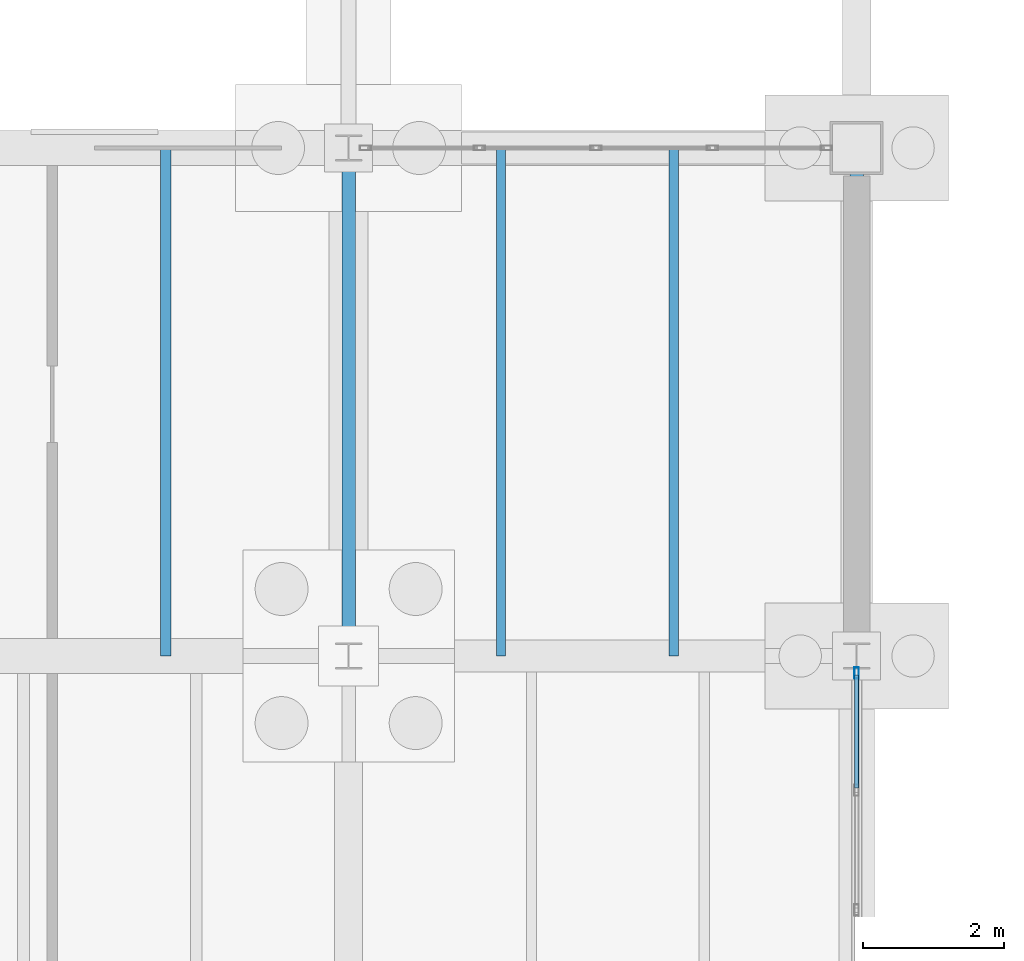
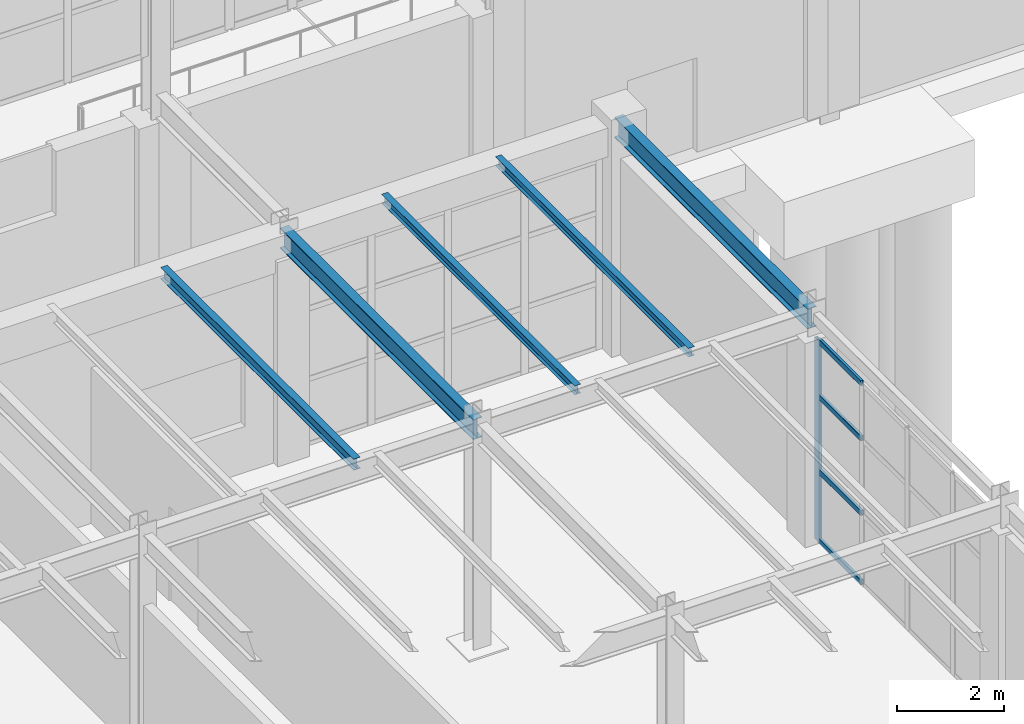
# One storey, part 102 of 293: 5 beams, 5 members, 1 element without a shape of its own.
"""IFC4 building model written with IfcOpenShell, lengths in metres."""

from ifc_helpers import new_model, si_unit, direction, frame, origin, origin_2d, place, context, subcontext, project, spatial, hollow_rectangle, i_section, extrude, material, layer, layer_set, material_profile, profile_set, type_object, element, aggregate, save


model = new_model("IFC4")

# Units and contexts
model_context = context("Model", 3, precision=1e-05, world=origin(), true_north=direction((0.0, 1.0)))
body_context = subcontext(model_context, "Body", "Model", "MODEL_VIEW")
ifc_project = project(units=[si_unit("LENGTHUNIT", "METRE"), si_unit("AREAUNIT", "SQUARE_METRE"), si_unit("VOLUMEUNIT", "CUBIC_METRE"), si_unit("PLANEANGLEUNIT", "RADIAN"), si_unit("MASSUNIT", "GRAM", prefix="KILO")], contexts=[model_context])

# Site, building, storey
site_placement = place(None, origin())
site = spatial("IfcSite", under=ifc_project, at=site_placement, CompositionType="ELEMENT")
building_placement = place(site_placement, origin())
building = spatial("IfcBuilding", under=site, at=building_placement, Name="Kemerveld Promenade Tramway Depot", CompositionType="ELEMENT")
storey_placement = place(building_placement, origin())
storey = spatial("IfcBuildingStorey", under=building, at=storey_placement, Name="L00", CompositionType="ELEMENT", Elevation=0.0)

# Beams
ifc_material_1 = material(Name="Steel S355", Category="steel")
ifc_material_profile_1 = material_profile(ifc_material_1, i_section(OverallWidth=0.19140625, OverallDepth=0.4599609375, WebThickness=0.010009765625, FlangeThickness=0.01611328125, FilletRadius=0.01025390625, at=origin_2d()), Name="457x191x82 UB")
ifc_profile_set_1 = profile_set([ifc_material_profile_1], Name="Steel S355")
beam_type_1 = type_object("IfcBeamType", Name="BM-G06", PredefinedType="BEAM", material=ifc_profile_set_1)
for number, where, z_axis, x_axis, name in (
    (1, (50.39990234375, 72.0, 4.919921875), (0.0, 1.0, 0.0), (-1.0, 0.0, 0.0), "BMY-L00-08-L-M"),
    (2, (57.60009765625, 72.0, 4.919921875), (0.0, 1.0, 0.0), (-1.0, 0.0, 0.0), "BMY-L00-09-L-M"),
):
    element("IfcBeam", number, at=place(storey_placement, frame(where, z_axis=z_axis, x_axis=x_axis)), inside=storey, type_object=beam_type_1, Name=name, PredefinedType="BEAM", context=body_context, shape_type="SweptSolid", body=[
        extrude(i_section(OverallWidth=0.19140625, OverallDepth=0.4599609375, WebThickness=0.010009765625, FlangeThickness=0.01611328125, FilletRadius=0.01025390625, at=origin_2d()), origin(), (0.0, 0.0, 1.0), 7.199951171875),
    ])
ifc_material_profile_2 = material_profile(ifc_material_1, i_section(OverallWidth=0.146484375, OverallDepth=0.256103515625, WebThickness=0.00634765625, FlangeThickness=0.010986328125, FilletRadius=0.007568359375, at=origin_2d()), Name="254x146x37 UB")
ifc_profile_set_2 = profile_set([ifc_material_profile_2], Name="Steel S355")
beam_type_2 = type_object("IfcBeamType", Name="BM-J02", PredefinedType="JOIST", material=ifc_profile_set_2)
beam_placement = place(storey_placement, frame((47.80810546875, 72.0, 5.02197265625), z_axis=(0.0, 1.0, 0.0), x_axis=(-1.0, 0.0, 0.0)))
element("IfcBeam", 3, at=beam_placement, inside=storey, type_object=beam_type_2, Name="JST-L00-07-L-2", PredefinedType="JOIST", context=body_context, shape_type="SweptSolid", body=[
    extrude(i_section(OverallWidth=0.146484375, OverallDepth=0.256103515625, WebThickness=0.00634765625, FlangeThickness=0.010986328125, FilletRadius=0.007568359375, at=origin_2d()), origin(), (0.0, 0.0, 1.0), 7.199951171875),
])
ifc_material_profile_3 = material_profile(ifc_material_1, i_section(OverallWidth=0.13330078125, OverallDepth=0.203125, WebThickness=0.005615234375, FlangeThickness=0.0078125, FilletRadius=0.007568359375, at=origin_2d()), Name="203x133x25 UB")
ifc_profile_set_3 = profile_set([ifc_material_profile_3], Name="Steel S355")
beam_type_3 = type_object("IfcBeamType", Name="BM-J03", PredefinedType="JOIST", material=ifc_profile_set_3)
for number, where, z_axis, x_axis, name in (
    (4, (52.56005859375, 72.0, 5.04833984375), (0.0, 1.0, 0.0), (-1.0, 0.0, 0.0), "JST-L00-08-L-1"),
    (5, (55.008056640625, 72.0, 5.04833984375), (0.0, 1.0, 0.0), (-1.0, 0.0, 0.0), "JST-L00-08-L-2"),
):
    element("IfcBeam", number, at=place(storey_placement, frame(where, z_axis=z_axis, x_axis=x_axis)), inside=storey, type_object=beam_type_3, Name=name, PredefinedType="JOIST", context=body_context, shape_type="SweptSolid", body=[
        extrude(i_section(OverallWidth=0.13330078125, OverallDepth=0.203125, WebThickness=0.005615234375, FlangeThickness=0.0078125, FilletRadius=0.007568359375, at=origin_2d()), origin(), (0.0, 0.0, 1.0), 7.199951171875),
    ])

# Curtain wall, members
ifc_material_2 = material(Name="Bronze anodised aluminium and solar glass", Category="aluminium")
ifc_layer = layer(ifc_material_2, 0.159912109375)
ifc_layer_set = layer_set([ifc_layer], Name="CW-SYS-05")
curtain_wall_type = type_object("IfcCurtainWallType", Name="CW-SYS-05", PredefinedType="USERDEFINED", material=ifc_layer_set)
curtain_wall_placement = place(storey_placement, origin())
curtain_wall = element("IfcCurtainWall", 6, at=curtain_wall_placement, inside=storey, type_object=curtain_wall_type, Name="CW-L00-V5E-02", ObjectType="GLAZED_CURTAIN_WALL", PredefinedType="USERDEFINED")
ifc_material_3 = material(Name="Bronze anodised aluminium", Category="aluminium")
ifc_material_profile_4 = material_profile(ifc_material_3, hollow_rectangle(XDim=0.06494140625, YDim=0.159912109375, WallThickness=0.00390625, InnerFilletRadius=0.001953125, OuterFilletRadius=0.00390625, at=origin_2d()), Name="CW-MUL-160x65")
ifc_profile_set_4 = profile_set([ifc_material_profile_4], Name="Bronze anodised aluminium")
member_type_1 = type_object("IfcMemberType", Name="CW-MUL-A", PredefinedType="MULLION", material=ifc_profile_set_4)
member_1_placement = place(storey_placement, frame((57.60009765625, 71.76123046875, 0.0), z_axis=(0.0, 0.0, 1.0), x_axis=(1.0, 0.0, 0.0)))
member_1 = element("IfcMember", 7, at=member_1_placement, type_object=member_type_1, Name="CW05 mullion 1", PredefinedType="MULLION", context=body_context, shape_type="SweptSolid", body=[
    extrude(hollow_rectangle(XDim=0.06494140625, YDim=0.159912109375, WallThickness=0.00390625, InnerFilletRadius=0.001953125, OuterFilletRadius=0.00390625, at=origin_2d()), origin(), (0.0, 0.0, 1.0), 4.593505859375),
])
ifc_material_profile_5 = material_profile(ifc_material_3, hollow_rectangle(XDim=0.06005859375, YDim=0.1201171875, WallThickness=0.00390625, InnerFilletRadius=0.001953125, OuterFilletRadius=0.00390625, at=origin_2d()), Name="CW-TRN-120x60")
ifc_profile_set_5 = profile_set([ifc_material_profile_5], Name="Bronze anodised aluminium")
member_type_2 = type_object("IfcMemberType", Name="CW-TRN-A", PredefinedType="USERDEFINED", material=ifc_profile_set_5)
member_2_placement = place(storey_placement, frame((57.60009765625, 71.728759765625, 0.030029296875), z_axis=(0.0, -1.0, 0.0), x_axis=(1.0, 0.0, 0.0)))
member_2 = element("IfcMember", 8, at=member_2_placement, type_object=member_type_2, Name="CW05 transom 1.1", ObjectType="TRANSOM", PredefinedType="USERDEFINED", context=body_context, shape_type="SweptSolid", body=[
    extrude(hollow_rectangle(XDim=0.06005859375, YDim=0.1201171875, WallThickness=0.00390625, InnerFilletRadius=0.001953125, OuterFilletRadius=0.00390625, at=origin_2d()), origin(), (0.0, 0.0, 1.0), 1.599365234375),
])
member_3_placement = place(storey_placement, frame((57.60009765625, 71.728759765625, 1.60791015625), z_axis=(0.0, -1.0, 0.0), x_axis=(1.0, 0.0, 0.0)))
member_3 = element("IfcMember", 9, at=member_3_placement, type_object=member_type_2, Name="CW05 transom 1.2", ObjectType="TRANSOM", PredefinedType="USERDEFINED", context=body_context, shape_type="SweptSolid", body=[
    extrude(hollow_rectangle(XDim=0.06005859375, YDim=0.1201171875, WallThickness=0.00390625, InnerFilletRadius=0.001953125, OuterFilletRadius=0.00390625, at=origin_2d()), origin(), (0.0, 0.0, 1.0), 1.599365234375),
])
member_4_placement = place(storey_placement, frame((57.60009765625, 71.728759765625, 3.306884765625), z_axis=(0.0, -1.0, 0.0), x_axis=(1.0, 0.0, 0.0)))
member_4 = element("IfcMember", 10, at=member_4_placement, type_object=member_type_2, Name="CW05 transom 1.3", ObjectType="TRANSOM", PredefinedType="USERDEFINED", context=body_context, shape_type="SweptSolid", body=[
    extrude(hollow_rectangle(XDim=0.06005859375, YDim=0.1201171875, WallThickness=0.00390625, InnerFilletRadius=0.001953125, OuterFilletRadius=0.00390625, at=origin_2d()), origin(), (0.0, 0.0, 1.0), 1.599365234375),
])
member_5_placement = place(storey_placement, frame((57.60009765625, 71.728759765625, 4.5634765625), z_axis=(0.0, -1.0, 0.0), x_axis=(1.0, 0.0, 0.0)))
member_5 = element("IfcMember", 11, at=member_5_placement, type_object=member_type_2, Name="CW05 transom 1.4", ObjectType="TRANSOM", PredefinedType="USERDEFINED", context=body_context, shape_type="SweptSolid", body=[
    extrude(hollow_rectangle(XDim=0.06005859375, YDim=0.1201171875, WallThickness=0.00390625, InnerFilletRadius=0.001953125, OuterFilletRadius=0.00390625, at=origin_2d()), origin(), (0.0, 0.0, 1.0), 1.599365234375),
])
aggregate(curtain_wall, [member_1, member_2, member_3, member_4, member_5])

save(model, "model.ifc")
